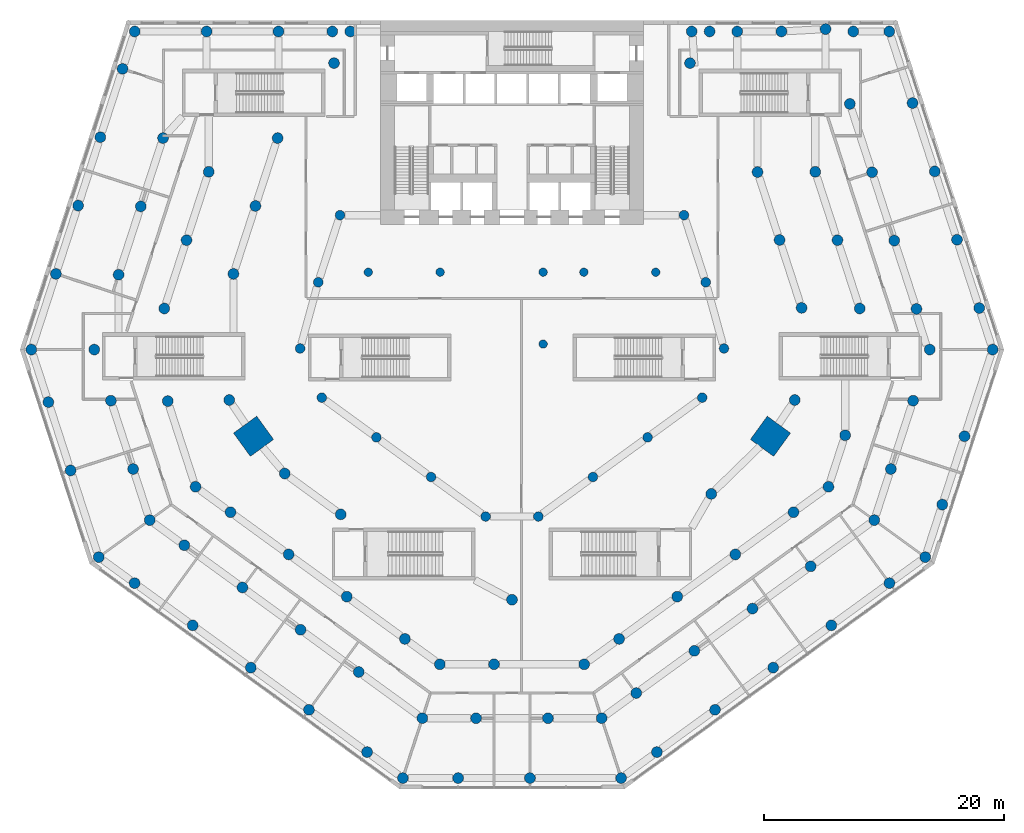
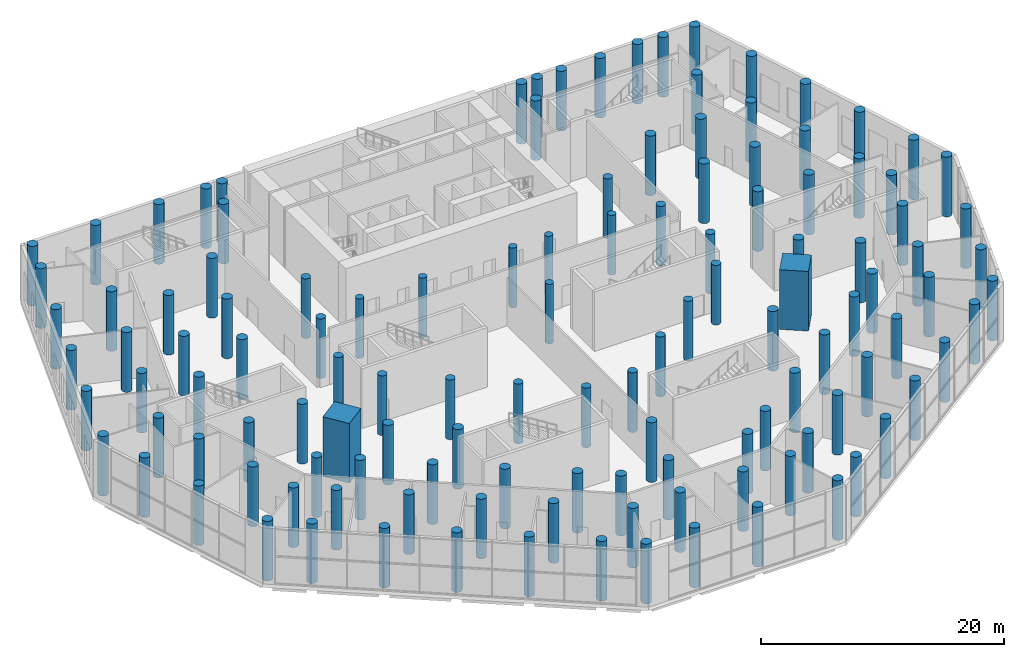
# One storey, part 1 of 23: 126 columns.
"""IFC4 building model written with IfcOpenShell, lengths in metres."""

from ifc_helpers import new_model, si_unit, direction, frame, origin, origin_2d, place, context, subcontext, project, spatial, rectangle, circle, extrude, material, material_profile, profile_set, type_object, element, save


model = new_model("IFC4")

# Units and contexts
model_context = context("Model", 3, precision=1e-05, world=origin(), true_north=direction((0.0, 1.0)))
body_context = subcontext(model_context, "Body", "Model", "MODEL_VIEW")
ifc_project = project(units=[si_unit("LENGTHUNIT", "METRE"), si_unit("AREAUNIT", "SQUARE_METRE"), si_unit("VOLUMEUNIT", "CUBIC_METRE"), si_unit("PLANEANGLEUNIT", "RADIAN"), si_unit("MASSUNIT", "GRAM", prefix="KILO")], contexts=[model_context])

# Site, building, storey
site_placement = place(None, origin())
site = spatial("IfcSite", under=ifc_project, at=site_placement, CompositionType="ELEMENT")
building_placement = place(site_placement, origin())
building = spatial("IfcBuilding", under=site, at=building_placement, Name="White Candle Pilgrim Tower", CompositionType="ELEMENT")
storey_placement = place(building_placement, frame((0.0, 0.0, 9.0)))
storey = spatial("IfcBuildingStorey", under=building, at=storey_placement, Name="L01", CompositionType="ELEMENT", Elevation=9.0)

# Columns
ifc_material = material(Name="Concrete C80/95", Category="concrete")
ifc_material_profile_1 = material_profile(ifc_material, circle(Radius=0.35009765625, at=origin_2d()), Name="RC-COL D700")
ifc_profile_set_1 = profile_set([ifc_material_profile_1], Name="Concrete C80/95")
column_type_1 = type_object("IfcColumnType", Name="Interior column RC-COL D700 C80/95", PredefinedType="COLUMN", material=ifc_profile_set_1)
for number, where, z_axis, x_axis, name in (
    (1, (58.0, 67.0, 0.0), (0.0, 0.0, 1.0), (1.0, 0.0, 0.0), "L01 column I01"),
    (2, (64.0, 67.0, 0.0), (0.0, 0.0, 1.0), (1.0, 0.0, 0.0), "L01 column I02"),
    (3, (72.60009765625, 61.0, 0.0), (0.0, 0.0, 1.0), (1.0, 0.0, 0.0), "L01 column I03"),
    (4, (72.60009765625, 67.0, 0.0), (0.0, 0.0, 1.0), (1.0, 0.0, 0.0), "L01 column I04"),
    (5, (76.0, 67.0, 0.0), (0.0, 0.0, 1.0), (1.0, 0.0, 0.0), "L01 column I05"),
    (6, (82.0, 67.0, 0.0), (0.0, 0.0, 1.0), (1.0, 0.0, 0.0), "L01 column I06"),
):
    element("IfcColumn", number, at=place(storey_placement, frame(where, z_axis=z_axis, x_axis=x_axis)), inside=storey, type_object=column_type_1, Name=name, PredefinedType="COLUMN", context=body_context, shape_type="SweptSolid", body=[
        extrude(circle(Radius=0.35009765625, at=origin_2d()), origin(), (0.0, 0.0, 1.0), 6.0),
    ])
ifc_material_profile_2 = material_profile(ifc_material, rectangle(XDim=2.39990234375, YDim=2.39990234375, at=origin_2d()), Name="RC 2400x2400")
ifc_profile_set_2 = profile_set([ifc_material_profile_2], Name="Concrete C80/95")
column_type_2 = type_object("IfcColumnType", Name="Mega column RC 2400x2400 C80/95", PredefinedType="COLUMN", material=ifc_profile_set_2)
for number, where, z_axis, x_axis, name in (
    (7, (48.419921875, 53.300048828125, 0.0), (0.0, 0.0, 1.0), (-0.809016994375, -0.587785252292, 0.0), "L01 mega column T02"),
    (8, (91.580078125, 53.300048828125, 0.0), (0.0, 0.0, 1.0), (0.809016994375, -0.587785252292, 0.0), "L01 mega column T07"),
):
    element("IfcColumn", number, at=place(storey_placement, frame(where, z_axis=z_axis, x_axis=x_axis)), inside=storey, type_object=column_type_2, Name=name, PredefinedType="COLUMN", context=body_context, shape_type="SweptSolid", body=[
        extrude(rectangle(XDim=2.39990234375, YDim=2.39990234375, at=origin_2d()), origin(), (0.0, 0.0, 1.0), 6.0),
    ])
ifc_material_profile_3 = material_profile(ifc_material, circle(Radius=0.449951171875, at=origin_2d()), Name="RC-COL D900")
ifc_profile_set_3 = profile_set([ifc_material_profile_3], Name="Concrete C80/95")
column_type_3 = type_object("IfcColumnType", Name="Perimeter column RC-COL D900 C80/95", PredefinedType="COLUMN", material=ifc_profile_set_3)
for number, where, z_axis, x_axis, name in (
    (9, (46.389892578125, 56.330078125, 0.0), (0.0, 0.0, 1.0), (1.0, 0.0, 0.0), "L01 column T01"),
    (10, (51.02001953125, 50.18994140625, 0.0), (0.0, 0.0, 1.0), (1.0, 0.0, 0.0), "L01 column T03"),
    (11, (55.699951171875, 46.780029296875, 0.0), (0.0, 0.0, 1.0), (1.0, 0.0, 0.0), "L01 column T04"),
    (12, (70.0, 39.64990234375, 0.0), (0.0, 0.0, 1.0), (1.0, 0.0, 0.0), "L01 column T05"),
    (13, (86.639892578125, 48.489990234375, 0.0), (0.0, 0.0, 1.0), (1.0, 0.0, 0.0), "L01 column T06"),
    (14, (93.610107421875, 56.330078125, 0.0), (0.0, 0.0, 1.0), (1.0, 0.0, 0.0), "L01 column T08"),
    (15, (94.179931640625, 64.02001953125, 0.0), (0.0, 0.0, 1.0), (1.0, 0.0, 0.0), "L01 column T09"),
    (16, (92.340087890625, 69.68994140625, 0.0), (0.0, 0.0, 1.0), (1.0, 0.0, 0.0), "L01 column T10"),
    (17, (90.5, 75.360107421875, 0.0), (0.0, 0.0, 1.0), (1.0, 0.0, 0.0), "L01 column T11"),
    (18, (84.860107421875, 84.4599609375, 0.0), (0.0, 0.0, 1.0), (1.0, 0.0, 0.0), "L01 column T12"),
    (19, (55.139892578125, 84.4599609375, 0.0), (0.0, 0.0, 1.0), (1.0, 0.0, 0.0), "L01 column T13"),
    (20, (50.429931640625, 78.199951171875, 0.0), (0.0, 0.0, 1.0), (1.0, 0.0, 0.0), "L01 column T14"),
    (21, (48.580078125, 72.530029296875, 0.0), (0.0, 0.0, 1.0), (1.0, 0.0, 0.0), "L01 column T15"),
    (22, (46.739990234375, 66.860107421875, 0.0), (0.0, 0.0, 1.0), (1.0, 0.0, 0.0), "L01 column T16"),
    (23, (29.865966796875, 60.5390625, 0.0), (0.0, 0.0, 1.0), (1.0, 0.0, 0.0), "L01 column A01"),
    (24, (31.291015625, 56.154052734375, 0.0), (0.0, 0.0, 1.0), (1.0, 0.0, 0.0), "L01 column A02"),
    (25, (33.14501953125, 50.447998046875, 0.0), (0.0, 0.0, 1.0), (1.0, 0.0, 0.0), "L01 column A03"),
    (26, (35.4970703125, 43.2099609375, 0.0), (0.0, 0.0, 1.0), (1.0, 0.0, 0.0), "L01 column A04"),
    (27, (38.485107421875, 41.0390625, 0.0), (0.0, 0.0, 1.0), (1.0, 0.0, 0.0), "L01 column A05"),
    (28, (43.339111328125, 37.511962890625, 0.0), (0.0, 0.0, 1.0), (1.0, 0.0, 0.0), "L01 column A06"),
    (29, (48.193115234375, 33.985107421875, 0.0), (0.0, 0.0, 1.0), (1.0, 0.0, 0.0), "L01 column A07"),
    (30, (53.047119140625, 30.458984375, 0.0), (0.0, 0.0, 1.0), (1.0, 0.0, 0.0), "L01 column A08"),
    (31, (57.90087890625, 26.931884765625, 0.0), (0.0, 0.0, 1.0), (1.0, 0.0, 0.0), "L01 column A09"),
    (32, (60.888916015625, 24.760986328125, 0.0), (0.0, 0.0, 1.0), (1.0, 0.0, 0.0), "L01 column A10"),
    (33, (65.5, 24.760986328125, 0.0), (0.0, 0.0, 1.0), (1.0, 0.0, 0.0), "L01 column A11"),
    (34, (71.5, 24.760986328125, 0.0), (0.0, 0.0, 1.0), (1.0, 0.0, 0.0), "L01 column A12"),
    (35, (79.111083984375, 24.760986328125, 0.0), (0.0, 0.0, 1.0), (1.0, 0.0, 0.0), "L01 column A13"),
    (36, (82.09912109375, 26.931884765625, 0.0), (0.0, 0.0, 1.0), (1.0, 0.0, 0.0), "L01 column A14"),
    (37, (86.952880859375, 30.458984375, 0.0), (0.0, 0.0, 1.0), (1.0, 0.0, 0.0), "L01 column A15"),
    (38, (91.806884765625, 33.985107421875, 0.0), (0.0, 0.0, 1.0), (1.0, 0.0, 0.0), "L01 column A16"),
    (39, (96.660888671875, 37.511962890625, 0.0), (0.0, 0.0, 1.0), (1.0, 0.0, 0.0), "L01 column A17"),
    (40, (101.514892578125, 41.0390625, 0.0), (0.0, 0.0, 1.0), (1.0, 0.0, 0.0), "L01 column A18"),
    (41, (104.5029296875, 43.2099609375, 0.0), (0.0, 0.0, 1.0), (1.0, 0.0, 0.0), "L01 column A19"),
    (42, (105.927978515625, 47.594970703125, 0.0), (0.0, 0.0, 1.0), (1.0, 0.0, 0.0), "L01 column A20"),
    (43, (107.781982421875, 53.301025390625, 0.0), (0.0, 0.0, 1.0), (1.0, 0.0, 0.0), "L01 column A21"),
    (44, (110.134033203125, 60.5390625, 0.0), (0.0, 0.0, 1.0), (1.0, 0.0, 0.0), "L01 column A22"),
    (45, (109.008056640625, 64.0048828125, 0.0), (0.0, 0.0, 1.0), (1.0, 0.0, 0.0), "L01 column A23"),
    (46, (107.153076171875, 69.7119140625, 0.0), (0.0, 0.0, 1.0), (1.0, 0.0, 0.0), "L01 column A24"),
    (47, (105.299072265625, 75.41796875, 0.0), (0.0, 0.0, 1.0), (1.0, 0.0, 0.0), "L01 column A25"),
    (48, (103.445068359375, 81.1240234375, 0.0), (0.0, 0.0, 1.0), (1.0, 0.0, 0.0), "L01 column A26"),
    (49, (101.50390625, 87.10009765625, 0.0), (0.0, 0.0, 1.0), (1.0, 0.0, 0.0), "L01 column A27"),
    (50, (98.5, 87.10009765625, 0.0), (0.0, 0.0, 1.0), (1.0, 0.0, 0.0), "L01 column A28"),
    (51, (92.5, 87.10009765625, 0.0), (0.0, 0.0, 1.0), (1.0, 0.0, 0.0), "L01 column A29"),
    (52, (86.5, 87.10009765625, 0.0), (0.0, 0.0, 1.0), (1.0, 0.0, 0.0), "L01 column A30"),
    (53, (56.5, 87.10009765625, 0.0), (0.0, 0.0, 1.0), (1.0, 0.0, 0.0), "L01 column A31"),
    (54, (50.5, 87.10009765625, 0.0), (0.0, 0.0, 1.0), (1.0, 0.0, 0.0), "L01 column A32"),
    (55, (44.5, 87.10009765625, 0.0), (0.0, 0.0, 1.0), (1.0, 0.0, 0.0), "L01 column A33"),
    (56, (38.49609375, 87.10009765625, 0.0), (0.0, 0.0, 1.0), (1.0, 0.0, 0.0), "L01 column A34"),
    (57, (37.48193359375, 83.97802734375, 0.0), (0.0, 0.0, 1.0), (1.0, 0.0, 0.0), "L01 column A35"),
    (58, (35.6279296875, 78.27099609375, 0.0), (0.0, 0.0, 1.0), (1.0, 0.0, 0.0), "L01 column A36"),
    (59, (33.77392578125, 72.56494140625, 0.0), (0.0, 0.0, 1.0), (1.0, 0.0, 0.0), "L01 column A37"),
    (60, (31.919921875, 66.85888671875, 0.0), (0.0, 0.0, 1.0), (1.0, 0.0, 0.0), "L01 column A38"),
    (61, (35.1240234375, 60.5390625, 0.0), (0.0, 0.0, 1.0), (1.0, 0.0, 0.0), "L01 column B01"),
    (62, (36.510009765625, 56.27294921875, 0.0), (0.0, 0.0, 1.0), (1.0, 0.0, 0.0), "L01 column B02"),
    (63, (38.364013671875, 50.56591796875, 0.0), (0.0, 0.0, 1.0), (1.0, 0.0, 0.0), "L01 column B03"),
    (64, (39.75, 46.300048828125, 0.0), (0.0, 0.0, 1.0), (1.0, 0.0, 0.0), "L01 column B04"),
    (65, (42.636962890625, 44.201904296875, 0.0), (0.0, 0.0, 1.0), (1.0, 0.0, 0.0), "L01 column B05"),
    (66, (47.491943359375, 40.676025390625, 0.0), (0.0, 0.0, 1.0), (1.0, 0.0, 0.0), "L01 column B06"),
    (67, (52.345947265625, 37.14892578125, 0.0), (0.0, 0.0, 1.0), (1.0, 0.0, 0.0), "L01 column B07"),
    (68, (57.199951171875, 33.6220703125, 0.0), (0.0, 0.0, 1.0), (1.0, 0.0, 0.0), "L01 column B08"),
    (69, (62.513916015625, 29.760986328125, 0.0), (0.0, 0.0, 1.0), (1.0, 0.0, 0.0), "L01 column B09"),
    (70, (67.0, 29.760986328125, 0.0), (0.0, 0.0, 1.0), (1.0, 0.0, 0.0), "L01 column B10"),
    (71, (73.0, 29.760986328125, 0.0), (0.0, 0.0, 1.0), (1.0, 0.0, 0.0), "L01 column B11"),
    (72, (77.486083984375, 29.760986328125, 0.0), (0.0, 0.0, 1.0), (1.0, 0.0, 0.0), "L01 column B12"),
    (73, (80.373046875, 31.85888671875, 0.0), (0.0, 0.0, 1.0), (1.0, 0.0, 0.0), "L01 column B13"),
    (74, (85.22705078125, 35.385986328125, 0.0), (0.0, 0.0, 1.0), (1.0, 0.0, 0.0), "L01 column B14"),
    (75, (90.0810546875, 38.912109375, 0.0), (0.0, 0.0, 1.0), (1.0, 0.0, 0.0), "L01 column B15"),
    (76, (94.93603515625, 42.43896484375, 0.0), (0.0, 0.0, 1.0), (1.0, 0.0, 0.0), "L01 column B16"),
    (77, (100.25, 46.300048828125, 0.0), (0.0, 0.0, 1.0), (1.0, 0.0, 0.0), "L01 column B17"),
    (78, (101.635986328125, 50.56591796875, 0.0), (0.0, 0.0, 1.0), (1.0, 0.0, 0.0), "L01 column B18"),
    (79, (103.489990234375, 56.27294921875, 0.0), (0.0, 0.0, 1.0), (1.0, 0.0, 0.0), "L01 column B19"),
    (80, (104.8759765625, 60.5390625, 0.0), (0.0, 0.0, 1.0), (1.0, 0.0, 0.0), "L01 column B20"),
    (81, (103.77392578125, 63.93310546875, 0.0), (0.0, 0.0, 1.0), (1.0, 0.0, 0.0), "L01 column B21"),
    (82, (101.9189453125, 69.639892578125, 0.0), (0.0, 0.0, 1.0), (1.0, 0.0, 0.0), "L01 column B22"),
    (83, (100.06494140625, 75.345947265625, 0.0), (0.0, 0.0, 1.0), (1.0, 0.0, 0.0), "L01 column B23"),
    (84, (98.2109375, 81.052001953125, 0.0), (0.0, 0.0, 1.0), (1.0, 0.0, 0.0), "L01 column B24"),
    (85, (96.180908203125, 87.300048828125, 0.0), (0.0, 0.0, 1.0), (1.0, 0.0, 0.0), "L01 column B25"),
    (86, (40.862060546875, 78.198974609375, 0.0), (0.0, 0.0, 1.0), (1.0, 0.0, 0.0), "L01 column B33"),
    (87, (39.008056640625, 72.492919921875, 0.0), (0.0, 0.0, 1.0), (1.0, 0.0, 0.0), "L01 column B34"),
    (88, (37.153076171875, 66.787109375, 0.0), (0.0, 0.0, 1.0), (1.0, 0.0, 0.0), "L01 column B35"),
    (89, (41.2529296875, 56.237060546875, 0.0), (0.0, 0.0, 1.0), (1.0, 0.0, 0.0), "L01 column C01"),
    (90, (43.577880859375, 49.0810546875, 0.0), (0.0, 0.0, 1.0), (1.0, 0.0, 0.0), "L01 column C02"),
    (91, (46.49609375, 46.9609375, 0.0), (0.0, 0.0, 1.0), (1.0, 0.0, 0.0), "L01 column C03"),
    (92, (51.35009765625, 43.43408203125, 0.0), (0.0, 0.0, 1.0), (1.0, 0.0, 0.0), "L01 column C04"),
    (93, (56.2041015625, 39.907958984375, 0.0), (0.0, 0.0, 1.0), (1.0, 0.0, 0.0), "L01 column C05"),
    (94, (61.05810546875, 36.381103515625, 0.0), (0.0, 0.0, 1.0), (1.0, 0.0, 0.0), "L01 column C06"),
    (95, (63.97607421875, 34.260986328125, 0.0), (0.0, 0.0, 1.0), (1.0, 0.0, 0.0), "L01 column C07"),
    (96, (68.5, 34.260986328125, 0.0), (0.0, 0.0, 1.0), (1.0, 0.0, 0.0), "L01 column C08"),
    (97, (76.02392578125, 34.260986328125, 0.0), (0.0, 0.0, 1.0), (1.0, 0.0, 0.0), "L01 column C09"),
    (98, (78.94189453125, 36.381103515625, 0.0), (0.0, 0.0, 1.0), (1.0, 0.0, 0.0), "L01 column C10"),
    (99, (83.7958984375, 39.907958984375, 0.0), (0.0, 0.0, 1.0), (1.0, 0.0, 0.0), "L01 column C11"),
    (100, (88.64990234375, 43.43408203125, 0.0), (0.0, 0.0, 1.0), (1.0, 0.0, 0.0), "L01 column C12"),
    (101, (93.50390625, 46.9609375, 0.0), (0.0, 0.0, 1.0), (1.0, 0.0, 0.0), "L01 column C13"),
    (102, (96.422119140625, 49.0810546875, 0.0), (0.0, 0.0, 1.0), (1.0, 0.0, 0.0), "L01 column C14"),
    (103, (97.820068359375, 53.384033203125, 0.0), (0.0, 0.0, 1.0), (1.0, 0.0, 0.0), "L01 column C15"),
    (104, (99.030029296875, 63.968994140625, 0.0), (0.0, 0.0, 1.0), (1.0, 0.0, 0.0), "L01 column C16"),
    (105, (97.176025390625, 69.676025390625, 0.0), (0.0, 0.0, 1.0), (1.0, 0.0, 0.0), "L01 column C17"),
    (106, (95.322021484375, 75.382080078125, 0.0), (0.0, 0.0, 1.0), (1.0, 0.0, 0.0), "L01 column C18"),
    (107, (88.800048828125, 87.10009765625, 0.0), (0.0, 0.0, 1.0), (1.0, 0.0, 0.0), "L01 column C19"),
    (108, (85.0, 87.10009765625, 0.0), (0.0, 0.0, 1.0), (1.0, 0.0, 0.0), "L01 column C20"),
    (109, (55.0, 87.10009765625, 0.0), (0.0, 0.0, 1.0), (1.0, 0.0, 0.0), "L01 column C21"),
    (110, (44.677978515625, 75.382080078125, 0.0), (0.0, 0.0, 1.0), (1.0, 0.0, 0.0), "L01 column C23"),
    (111, (42.823974609375, 69.676025390625, 0.0), (0.0, 0.0, 1.0), (1.0, 0.0, 0.0), "L01 column C24"),
    (112, (40.969970703125, 63.968994140625, 0.0), (0.0, 0.0, 1.0), (1.0, 0.0, 0.0), "L01 column C25"),
):
    element("IfcColumn", number, at=place(storey_placement, frame(where, z_axis=z_axis, x_axis=x_axis)), inside=storey, type_object=column_type_3, Name=name, PredefinedType="COLUMN", context=body_context, shape_type="SweptSolid", body=[
        extrude(circle(Radius=0.449951171875, at=origin_2d()), origin(), (0.0, 0.0, 1.0), 6.0),
    ])
ifc_material_profile_4 = material_profile(ifc_material, circle(Radius=0.39990234375, at=origin_2d()), Name="RC-COL D800")
ifc_profile_set_4 = profile_set([ifc_material_profile_4], Name="Concrete C80/95")
column_type_4 = type_object("IfcColumnType", Name="Ring column RC-COL D800 C80/95", PredefinedType="COLUMN", material=ifc_profile_set_4)
for number, where, z_axis, x_axis, name in (
    (113, (52.31005859375, 60.6298828125, 0.0), (0.0, 0.0, 1.0), (1.0, 0.0, 0.0), "L01 column R01"),
    (114, (54.1201171875, 56.530029296875, 0.0), (0.0, 0.0, 1.0), (1.0, 0.0, 0.0), "L01 column R02"),
    (115, (58.679931640625, 53.2099609375, 0.0), (0.0, 0.0, 1.0), (1.0, 0.0, 0.0), "L01 column R03"),
    (116, (63.239990234375, 49.89990234375, 0.0), (0.0, 0.0, 1.0), (1.0, 0.0, 0.0), "L01 column R04"),
    (117, (67.800048828125, 46.60009765625, 0.0), (0.0, 0.0, 1.0), (1.0, 0.0, 0.0), "L01 column R05"),
    (118, (72.199951171875, 46.60009765625, 0.0), (0.0, 0.0, 1.0), (1.0, 0.0, 0.0), "L01 column R06"),
    (119, (76.760009765625, 49.89990234375, 0.0), (0.0, 0.0, 1.0), (1.0, 0.0, 0.0), "L01 column R07"),
    (120, (81.320068359375, 53.2099609375, 0.0), (0.0, 0.0, 1.0), (1.0, 0.0, 0.0), "L01 column R08"),
    (121, (85.8798828125, 56.530029296875, 0.0), (0.0, 0.0, 1.0), (1.0, 0.0, 0.0), "L01 column R09"),
    (122, (87.699951171875, 60.6298828125, 0.0), (0.0, 0.0, 1.0), (1.0, 0.0, 0.0), "L01 column R10"),
    (123, (86.179931640625, 66.159912109375, 0.0), (0.0, 0.0, 1.0), (1.0, 0.0, 0.0), "L01 column R11"),
    (124, (84.360107421875, 71.760009765625, 0.0), (0.0, 0.0, 1.0), (1.0, 0.0, 0.0), "L01 column R12"),
    (125, (55.639892578125, 71.760009765625, 0.0), (0.0, 0.0, 1.0), (1.0, 0.0, 0.0), "L01 column R13"),
    (126, (53.820068359375, 66.159912109375, 0.0), (0.0, 0.0, 1.0), (1.0, 0.0, 0.0), "L01 column R14"),
):
    element("IfcColumn", number, at=place(storey_placement, frame(where, z_axis=z_axis, x_axis=x_axis)), inside=storey, type_object=column_type_4, Name=name, PredefinedType="COLUMN", context=body_context, shape_type="SweptSolid", body=[
        extrude(circle(Radius=0.39990234375, at=origin_2d()), origin(), (0.0, 0.0, 1.0), 6.0),
    ])

save(model, "model.ifc")
